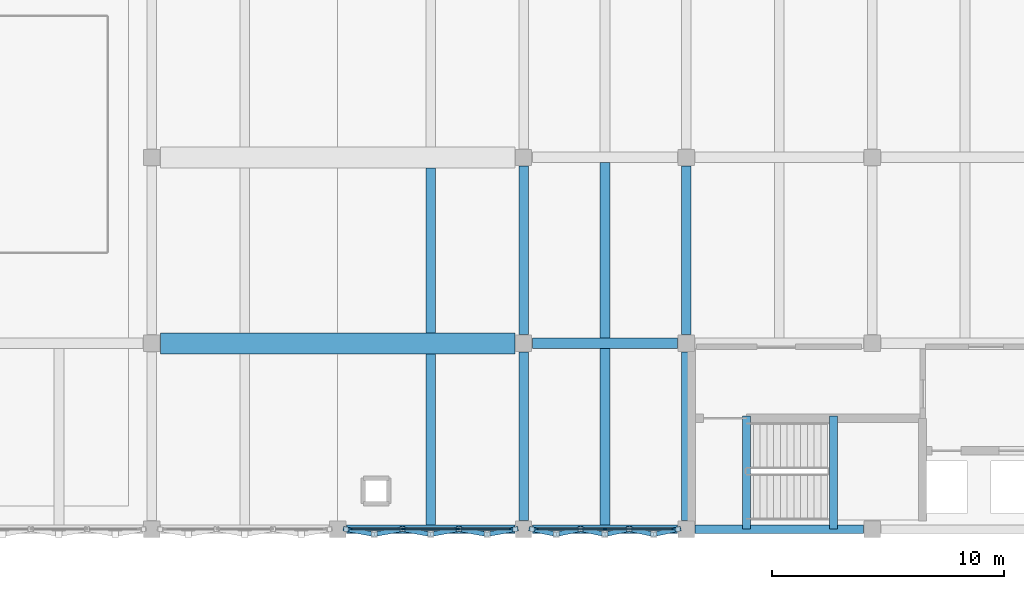
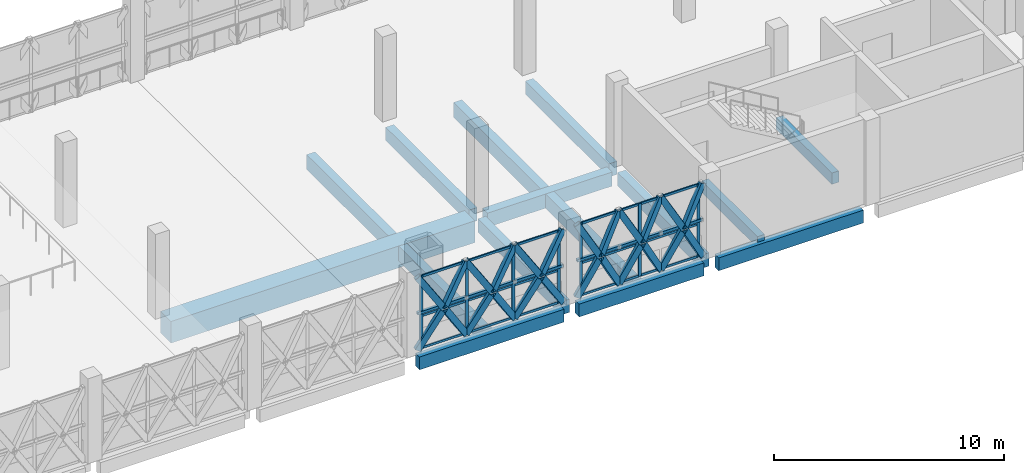
# One storey, part 13 of 45: 52 members, 15 beams, 2 elements without a shape of their own.
"""IFC4 building model written with IfcOpenShell, lengths in metres."""

from ifc_helpers import new_model, si_unit, direction, frame, origin, origin_2d, place, context, subcontext, project, spatial, rectangle, hollow_rectangle, extrude, material, layer, layer_set, material_profile, profile_set, type_object, element, aggregate, save


model = new_model("IFC4")

# Units and contexts
model_context = context("Model", 3, precision=1e-05, world=origin(), true_north=direction((0.0, 1.0)))
body_context = subcontext(model_context, "Body", "Model", "MODEL_VIEW")
ifc_project = project(units=[si_unit("LENGTHUNIT", "METRE"), si_unit("AREAUNIT", "SQUARE_METRE"), si_unit("VOLUMEUNIT", "CUBIC_METRE"), si_unit("PLANEANGLEUNIT", "RADIAN"), si_unit("MASSUNIT", "GRAM", prefix="KILO")], contexts=[model_context])

# Site, building, storey
site_placement = place(None, origin())
site = spatial("IfcSite", under=ifc_project, at=site_placement, CompositionType="ELEMENT")
building_placement = place(site_placement, origin())
building = spatial("IfcBuilding", under=site, at=building_placement, Name="Qorikala Patio Media Centre", CompositionType="ELEMENT")
storey_placement = place(building_placement, frame((0.0, 0.0, 9.89990234375)))
storey = spatial("IfcBuildingStorey", under=building, at=storey_placement, Name="L02", CompositionType="ELEMENT", Elevation=9.89990234375)

# Beams
ifc_material_1 = material(Name="Concrete C35/45", Category="concrete")
ifc_material_profile_1 = material_profile(ifc_material_1, rectangle(XDim=0.35009765625, YDim=0.60009765625, at=origin_2d()), Name="RC 350x600")
ifc_profile_set_1 = profile_set([ifc_material_profile_1], Name="Concrete C35/45")
beam_type_1 = type_object("IfcBeamType", Name="BM-G350X600", PredefinedType="BEAM", material=ifc_profile_set_1)
beam_1_placement = place(storey_placement, frame((84.60009765625, 3.0, -0.2998046875), z_axis=(0.0, 1.0, 0.0), x_axis=(-1.0, 0.0, 0.0)))
element("IfcBeam", 1, at=beam_1_placement, inside=storey, type_object=beam_type_1, Name="L02 ST-4 Well Trimmer Beam", PredefinedType="BEAM", context=body_context, shape_type="SweptSolid", body=[
    extrude(rectangle(XDim=0.35009765625, YDim=0.60009765625, at=origin_2d()), origin(), (0.0, 0.0, 1.0), 4.8798828125),
])
beam_2_placement = place(storey_placement, frame((88.330078125, 3.02001953125, 1.75), z_axis=(0.0, 1.0, 0.0), x_axis=(-1.0, 0.0, 0.0)))
element("IfcBeam", 2, at=beam_2_placement, inside=storey, type_object=beam_type_1, Name="L02 ST-4 Landing Beam 1", PredefinedType="BEAM", context=body_context, shape_type="SweptSolid", body=[
    extrude(rectangle(XDim=0.35009765625, YDim=0.60009765625, at=origin_2d()), origin(), (0.0, 0.0, 1.0), 4.85986328125),
])
ifc_material_profile_2 = material_profile(ifc_material_1, rectangle(XDim=0.39990234375, YDim=0.699951171875, at=origin_2d()), Name="RC 400x700")
ifc_profile_set_2 = profile_set([ifc_material_profile_2], Name="Concrete C35/45")
beam_type_2 = type_object("IfcBeamType", Name="BM-G400X700", PredefinedType="BEAM", material=ifc_profile_set_2)
for number, where, z_axis, x_axis, name in (
    (3, (75.0, 3.375, -0.64990234375), (0.0, 1.0, 0.0), (-1.0, 0.0, 0.0), "L02 Grid X=75 Beam 0971"),
    (4, (75.0, 11.375, -0.64990234375), (0.0, 1.0, 0.0), (-1.0, 0.0, 0.0), "L02 Grid X=75 Beam 0972"),
    (5, (82.0, 3.375, -0.64990234375), (0.0, 1.0, 0.0), (-1.0, 0.0, 0.0), "L02 Grid X=82 Beam 0978"),
    (6, (82.0, 11.375, -0.64990234375), (0.0, 1.0, 0.0), (-1.0, 0.0, 0.0), "L02 Grid X=82 Beam 0979"),
):
    element("IfcBeam", number, at=place(storey_placement, frame(where, z_axis=z_axis, x_axis=x_axis)), inside=storey, type_object=beam_type_2, Name=name, PredefinedType="BEAM", context=body_context, shape_type="SweptSolid", body=[
        extrude(rectangle(XDim=0.39990234375, YDim=0.699951171875, at=origin_2d()), origin(), (0.0, 0.0, 1.0), 7.25),
    ])
ifc_material_profile_3 = material_profile(ifc_material_1, rectangle(XDim=0.449951171875, YDim=0.75, at=origin_2d()), Name="RC 450x750")
ifc_profile_set_3 = profile_set([ifc_material_profile_3], Name="Concrete C35/45")
beam_type_3 = type_object("IfcBeamType", Name="BM-G450X750", PredefinedType="BEAM", material=ifc_profile_set_3)
beam_3_placement = place(storey_placement, frame((75.375, 11.0, -0.6748046875), z_axis=(1.0, 0.0, 0.0), x_axis=(0.0, 1.0, 0.0)))
element("IfcBeam", 7, at=beam_3_placement, inside=storey, type_object=beam_type_3, Name="L02 Grid 11 Beam 0784", PredefinedType="BEAM", context=body_context, shape_type="SweptSolid", body=[
    extrude(rectangle(XDim=0.449951171875, YDim=0.75, at=origin_2d()), origin(), (0.0, 0.0, 1.0), 6.25),
])
ifc_material_profile_4 = material_profile(ifc_material_1, rectangle(XDim=0.89990234375, YDim=1.14990234375, at=origin_2d()), Name="RC 900x1150")
ifc_profile_set_4 = profile_set([ifc_material_profile_4], Name="Concrete C35/45")
beam_type_4 = type_object("IfcBeamType", Name="BM-TR900X1150", PredefinedType="BEAM", material=ifc_profile_set_4)
beam_4_placement = place(storey_placement, frame((59.375, 11.0, -0.875), z_axis=(1.0, 0.0, 0.0), x_axis=(0.0, 1.0, 0.0)))
element("IfcBeam", 8, at=beam_4_placement, inside=storey, type_object=beam_type_4, Name="L02 Grid 11 Beam 0783", PredefinedType="BEAM", context=body_context, shape_type="SweptSolid", body=[
    extrude(rectangle(XDim=0.89990234375, YDim=1.14990234375, at=origin_2d()), origin(), (0.0, 0.0, 1.0), 15.25),
])

# Members
ifc_material_2 = material(Name="Golden Bronze Coated Steel S355", Category="steel")
ifc_material_profile_5 = material_profile(ifc_material_2, hollow_rectangle(XDim=0.139892578125, YDim=0.139892578125, WallThickness=0.006103515625, at=origin_2d()), Name="HSS140X140X6")
ifc_profile_set_5 = profile_set([ifc_material_profile_5], Name="Golden Bronze Coated Steel S355")
member_type_1 = type_object("IfcMemberType", Name="BRACE-DIA140", PredefinedType="BRACE", material=ifc_profile_set_5)
for number, where, z_axis, x_axis, name in (
    (9, (81.639892578125, 3.0, 1.925048828125), (-1.0, 0.0, 0.0), (0.0, -1.0, 0.0), "L02 Diamond Fold Tie 034"),
    (10, (79.546630859375, 3.0, 1.925048828125), (-1.0, 0.0, 0.0), (0.0, -1.0, 0.0), "L02 Diamond Fold Tie 035"),
    (11, (77.453369140625, 3.0, 1.925048828125), (-1.0, 0.0, 0.0), (0.0, -1.0, 0.0), "L02 Diamond Fold Tie 036"),
):
    element("IfcMember", number, at=place(storey_placement, frame(where, z_axis=z_axis, x_axis=x_axis)), inside=storey, type_object=member_type_1, Name=name, PredefinedType="BRACE", context=body_context, shape_type="SweptSolid", body=[
        extrude(hollow_rectangle(XDim=0.139892578125, YDim=0.139892578125, WallThickness=0.006103515625, at=origin_2d()), origin(), (0.0, 0.0, 1.0), 2.09326171875),
    ])
member_1_placement = place(storey_placement, frame((74.639892578125, 3.0, 1.925048828125), z_axis=(-1.0, 0.0, 0.0), x_axis=(0.0, -1.0, 0.0)))
element("IfcMember", 12, at=member_1_placement, inside=storey, type_object=member_type_1, Name="L02 Diamond Fold Tie 037", PredefinedType="BRACE", context=body_context, shape_type="SweptSolid", body=[
    extrude(hollow_rectangle(XDim=0.139892578125, YDim=0.139892578125, WallThickness=0.006103515625, at=origin_2d()), origin(), (0.0, 0.0, 1.0), 2.426513671875),
])
member_2_placement = place(storey_placement, frame((72.21337890625, 3.0, 1.925048828125), z_axis=(-1.0, 0.0, 0.0), x_axis=(0.0, -1.0, 0.0)))
element("IfcMember", 13, at=member_2_placement, inside=storey, type_object=member_type_1, Name="L02 Diamond Fold Tie 038", PredefinedType="BRACE", context=body_context, shape_type="SweptSolid", body=[
    extrude(hollow_rectangle(XDim=0.139892578125, YDim=0.139892578125, WallThickness=0.006103515625, at=origin_2d()), origin(), (0.0, 0.0, 1.0), 2.4267578125),
])
member_3_placement = place(storey_placement, frame((69.78662109375, 3.0, 1.925048828125), z_axis=(-1.0, 0.0, 0.0), x_axis=(0.0, -1.0, 0.0)))
element("IfcMember", 14, at=member_3_placement, inside=storey, type_object=member_type_1, Name="L02 Diamond Fold Tie 039", PredefinedType="BRACE", context=body_context, shape_type="SweptSolid", body=[
    extrude(hollow_rectangle(XDim=0.139892578125, YDim=0.139892578125, WallThickness=0.006103515625, at=origin_2d()), origin(), (0.0, 0.0, 1.0), 2.426513671875),
])

# Curtain wall, members
ifc_material_3 = material(Name="Golden Bronze Anodised Aluminium and Low-E Glass", Category="aluminium")
ifc_layer_1 = layer(ifc_material_3, 0.159912109375)
ifc_layer_set_1 = layer_set([ifc_layer_1], Name="Golden Bronze Anodised Aluminium and Low-E Glass")
curtain_wall_type_1 = type_object("IfcCurtainWallType", Name="CW-DIA-596X385", PredefinedType="USERDEFINED", material=ifc_layer_set_1)
curtain_wall_1_placement = place(storey_placement, origin())
curtain_wall_1 = element("IfcCurtainWall", 15, at=curtain_wall_1_placement, inside=storey, type_object=curtain_wall_type_1, Name="L02 Courtyard Curtain Wall 040", ObjectType="COURTYARD CURTAIN WALL", PredefinedType="USERDEFINED")
ifc_material_4 = material(Name="Golden Bronze Anodised Aluminium", Category="aluminium")
ifc_material_profile_6 = material_profile(ifc_material_4, rectangle(XDim=0.06494140625, YDim=0.14990234375, at=origin_2d()), Name="ALU MULLION 65x150")
ifc_profile_set_6 = profile_set([ifc_material_profile_6], Name="Golden Bronze Anodised Aluminium")
member_type_2 = type_object("IfcMemberType", Name="CWM-65X150", PredefinedType="MULLION", material=ifc_profile_set_6)
member_4_placement = place(storey_placement, frame((81.447509765625, 3.0, 0.0), z_axis=(0.0, 0.0, 1.0), x_axis=(0.0, -1.0, 0.0)))
member_4 = element("IfcMember", 16, at=member_4_placement, type_object=member_type_2, Name="CWD596385 mullion 1", PredefinedType="MULLION", context=body_context, shape_type="SweptSolid", body=[
    extrude(rectangle(XDim=0.06494140625, YDim=0.14990234375, at=origin_2d()), origin(), (0.0, 0.0, 1.0), 3.85009765625),
])
member_5_placement = place(storey_placement, frame((78.5, 3.0, 0.0), z_axis=(0.0, 0.0, 1.0), x_axis=(0.0, -1.0, 0.0)))
member_5 = element("IfcMember", 17, at=member_5_placement, type_object=member_type_2, Name="CWD596385 mullion 2", PredefinedType="MULLION", context=body_context, shape_type="SweptSolid", body=[
    extrude(rectangle(XDim=0.06494140625, YDim=0.14990234375, at=origin_2d()), origin(), (0.0, 0.0, 1.0), 3.85009765625),
])
member_6_placement = place(storey_placement, frame((75.552490234375, 3.0, 0.0), z_axis=(0.0, 0.0, 1.0), x_axis=(0.0, -1.0, 0.0)))
member_6 = element("IfcMember", 18, at=member_6_placement, type_object=member_type_2, Name="CWD596385 mullion 3", PredefinedType="MULLION", context=body_context, shape_type="SweptSolid", body=[
    extrude(rectangle(XDim=0.06494140625, YDim=0.14990234375, at=origin_2d()), origin(), (0.0, 0.0, 1.0), 3.85009765625),
])

ifc_layer_2 = layer(ifc_material_3, 0.159912109375)
ifc_layer_set_2 = layer_set([ifc_layer_2], Name="Golden Bronze Anodised Aluminium and Low-E Glass")
curtain_wall_type_2 = type_object("IfcCurtainWallType", Name="CW-DIA-696X385", PredefinedType="USERDEFINED", material=ifc_layer_set_2)
curtain_wall_2_placement = place(storey_placement, origin())
curtain_wall_2 = element("IfcCurtainWall", 19, at=curtain_wall_2_placement, inside=storey, type_object=curtain_wall_type_2, Name="L02 Courtyard Curtain Wall 041", ObjectType="COURTYARD CURTAIN WALL", PredefinedType="USERDEFINED")
member_7_placement = place(storey_placement, frame((74.447509765625, 3.0, 0.0), z_axis=(0.0, 0.0, 1.0), x_axis=(0.0, -1.0, 0.0)))
member_7 = element("IfcMember", 20, at=member_7_placement, type_object=member_type_2, Name="CWD696385 mullion 1", PredefinedType="MULLION", context=body_context, shape_type="SweptSolid", body=[
    extrude(rectangle(XDim=0.06494140625, YDim=0.14990234375, at=origin_2d()), origin(), (0.0, 0.0, 1.0), 3.85009765625),
])
member_8_placement = place(storey_placement, frame((72.159912109375, 3.0, 0.0), z_axis=(0.0, 0.0, 1.0), x_axis=(0.0, -1.0, 0.0)))
member_8 = element("IfcMember", 21, at=member_8_placement, type_object=member_type_2, Name="CWD696385 mullion 2", PredefinedType="MULLION", context=body_context, shape_type="SweptSolid", body=[
    extrude(rectangle(XDim=0.06494140625, YDim=0.14990234375, at=origin_2d()), origin(), (0.0, 0.0, 1.0), 3.85009765625),
])
member_9_placement = place(storey_placement, frame((69.840087890625, 3.0, 0.0), z_axis=(0.0, 0.0, 1.0), x_axis=(0.0, -1.0, 0.0)))
member_9 = element("IfcMember", 22, at=member_9_placement, type_object=member_type_2, Name="CWD696385 mullion 3", PredefinedType="MULLION", context=body_context, shape_type="SweptSolid", body=[
    extrude(rectangle(XDim=0.06494140625, YDim=0.14990234375, at=origin_2d()), origin(), (0.0, 0.0, 1.0), 3.85009765625),
])
member_10_placement = place(storey_placement, frame((67.552490234375, 3.0, 0.0), z_axis=(0.0, 0.0, 1.0), x_axis=(0.0, -1.0, 0.0)))
member_10 = element("IfcMember", 23, at=member_10_placement, type_object=member_type_2, Name="CWD696385 mullion 4", PredefinedType="MULLION", context=body_context, shape_type="SweptSolid", body=[
    extrude(rectangle(XDim=0.06494140625, YDim=0.14990234375, at=origin_2d()), origin(), (0.0, 0.0, 1.0), 3.85009765625),
])

# Member
ifc_material_profile_7 = material_profile(ifc_material_4, rectangle(XDim=0.06494140625, YDim=0.1201171875, at=origin_2d()), Name="ALU TRANSOM 65x120")
ifc_profile_set_7 = profile_set([ifc_material_profile_7], Name="Golden Bronze Anodised Aluminium")
member_type_3 = type_object("IfcMemberType", Name="CWT-65X120", PredefinedType="USERDEFINED", material=ifc_profile_set_7)
member_11_placement = place(storey_placement, frame((81.4150390625, 3.0, 0.03271484375), z_axis=(-1.0, 0.0, 0.0), x_axis=(0.0, -1.0, 0.0)))
member_11 = element("IfcMember", 24, at=member_11_placement, type_object=member_type_3, Name="CWD596385 transom 1.1", ObjectType="TRANSOM", PredefinedType="USERDEFINED", context=body_context, shape_type="SweptSolid", body=[
    extrude(rectangle(XDim=0.06494140625, YDim=0.1201171875, at=origin_2d()), origin(), (0.0, 0.0, 1.0), 2.882568359375),
])

member_12_placement = place(storey_placement, frame((81.4150390625, 3.0, 1.732666015625), z_axis=(-1.0, 0.0, 0.0), x_axis=(0.0, -1.0, 0.0)))
member_12 = element("IfcMember", 25, at=member_12_placement, type_object=member_type_3, Name="CWD596385 transom 1.2", ObjectType="TRANSOM", PredefinedType="USERDEFINED", context=body_context, shape_type="SweptSolid", body=[
    extrude(rectangle(XDim=0.06494140625, YDim=0.1201171875, at=origin_2d()), origin(), (0.0, 0.0, 1.0), 2.882568359375),
])

member_13_placement = place(storey_placement, frame((81.4150390625, 3.0, 3.817626953125), z_axis=(-1.0, 0.0, 0.0), x_axis=(0.0, -1.0, 0.0)))
member_13 = element("IfcMember", 26, at=member_13_placement, type_object=member_type_3, Name="CWD596385 transom 1.3", ObjectType="TRANSOM", PredefinedType="USERDEFINED", context=body_context, shape_type="SweptSolid", body=[
    extrude(rectangle(XDim=0.06494140625, YDim=0.1201171875, at=origin_2d()), origin(), (0.0, 0.0, 1.0), 2.882568359375),
])

member_14_placement = place(storey_placement, frame((78.467529296875, 3.0, 0.03271484375), z_axis=(-1.0, 0.0, 0.0), x_axis=(0.0, -1.0, 0.0)))
member_14 = element("IfcMember", 27, at=member_14_placement, type_object=member_type_3, Name="CWD596385 transom 2.1", ObjectType="TRANSOM", PredefinedType="USERDEFINED", context=body_context, shape_type="SweptSolid", body=[
    extrude(rectangle(XDim=0.06494140625, YDim=0.1201171875, at=origin_2d()), origin(), (0.0, 0.0, 1.0), 2.882568359375),
])

member_15_placement = place(storey_placement, frame((78.467529296875, 3.0, 1.732666015625), z_axis=(-1.0, 0.0, 0.0), x_axis=(0.0, -1.0, 0.0)))
member_15 = element("IfcMember", 28, at=member_15_placement, type_object=member_type_3, Name="CWD596385 transom 2.2", ObjectType="TRANSOM", PredefinedType="USERDEFINED", context=body_context, shape_type="SweptSolid", body=[
    extrude(rectangle(XDim=0.06494140625, YDim=0.1201171875, at=origin_2d()), origin(), (0.0, 0.0, 1.0), 2.882568359375),
])

member_16_placement = place(storey_placement, frame((78.467529296875, 3.0, 3.817626953125), z_axis=(-1.0, 0.0, 0.0), x_axis=(0.0, -1.0, 0.0)))
member_16 = element("IfcMember", 29, at=member_16_placement, type_object=member_type_3, Name="CWD596385 transom 2.3", ObjectType="TRANSOM", PredefinedType="USERDEFINED", context=body_context, shape_type="SweptSolid", body=[
    extrude(rectangle(XDim=0.06494140625, YDim=0.1201171875, at=origin_2d()), origin(), (0.0, 0.0, 1.0), 2.882568359375),
])

aggregate(curtain_wall_1, [member_4, member_5, member_6, member_11, member_12, member_13, member_14, member_15, member_16])

member_17_placement = place(storey_placement, frame((74.4150390625, 3.0, 0.03271484375), z_axis=(-1.0, 0.0, 0.0), x_axis=(0.0, -1.0, 0.0)))
member_17 = element("IfcMember", 30, at=member_17_placement, type_object=member_type_3, Name="CWD696385 transom 1.1", ObjectType="TRANSOM", PredefinedType="USERDEFINED", context=body_context, shape_type="SweptSolid", body=[
    extrude(rectangle(XDim=0.06494140625, YDim=0.1201171875, at=origin_2d()), origin(), (0.0, 0.0, 1.0), 2.22265625),
])

member_18_placement = place(storey_placement, frame((74.4150390625, 3.0, 1.732666015625), z_axis=(-1.0, 0.0, 0.0), x_axis=(0.0, -1.0, 0.0)))
member_18 = element("IfcMember", 31, at=member_18_placement, type_object=member_type_3, Name="CWD696385 transom 1.2", ObjectType="TRANSOM", PredefinedType="USERDEFINED", context=body_context, shape_type="SweptSolid", body=[
    extrude(rectangle(XDim=0.06494140625, YDim=0.1201171875, at=origin_2d()), origin(), (0.0, 0.0, 1.0), 2.22265625),
])

member_19_placement = place(storey_placement, frame((74.4150390625, 3.0, 3.817626953125), z_axis=(-1.0, 0.0, 0.0), x_axis=(0.0, -1.0, 0.0)))
member_19 = element("IfcMember", 32, at=member_19_placement, type_object=member_type_3, Name="CWD696385 transom 1.3", ObjectType="TRANSOM", PredefinedType="USERDEFINED", context=body_context, shape_type="SweptSolid", body=[
    extrude(rectangle(XDim=0.06494140625, YDim=0.1201171875, at=origin_2d()), origin(), (0.0, 0.0, 1.0), 2.22265625),
])

member_20_placement = place(storey_placement, frame((72.12744140625, 3.0, 0.03271484375), z_axis=(-1.0, 0.0, 0.0), x_axis=(0.0, -1.0, 0.0)))
member_20 = element("IfcMember", 33, at=member_20_placement, type_object=member_type_3, Name="CWD696385 transom 2.1", ObjectType="TRANSOM", PredefinedType="USERDEFINED", context=body_context, shape_type="SweptSolid", body=[
    extrude(rectangle(XDim=0.06494140625, YDim=0.1201171875, at=origin_2d()), origin(), (0.0, 0.0, 1.0), 2.2548828125),
])

member_21_placement = place(storey_placement, frame((72.12744140625, 3.0, 1.732666015625), z_axis=(-1.0, 0.0, 0.0), x_axis=(0.0, -1.0, 0.0)))
member_21 = element("IfcMember", 34, at=member_21_placement, type_object=member_type_3, Name="CWD696385 transom 2.2", ObjectType="TRANSOM", PredefinedType="USERDEFINED", context=body_context, shape_type="SweptSolid", body=[
    extrude(rectangle(XDim=0.06494140625, YDim=0.1201171875, at=origin_2d()), origin(), (0.0, 0.0, 1.0), 2.2548828125),
])

member_22_placement = place(storey_placement, frame((72.12744140625, 3.0, 3.817626953125), z_axis=(-1.0, 0.0, 0.0), x_axis=(0.0, -1.0, 0.0)))
member_22 = element("IfcMember", 35, at=member_22_placement, type_object=member_type_3, Name="CWD696385 transom 2.3", ObjectType="TRANSOM", PredefinedType="USERDEFINED", context=body_context, shape_type="SweptSolid", body=[
    extrude(rectangle(XDim=0.06494140625, YDim=0.1201171875, at=origin_2d()), origin(), (0.0, 0.0, 1.0), 2.2548828125),
])

member_23_placement = place(storey_placement, frame((69.8076171875, 3.0, 0.03271484375), z_axis=(-1.0, 0.0, 0.0), x_axis=(0.0, -1.0, 0.0)))
member_23 = element("IfcMember", 36, at=member_23_placement, type_object=member_type_3, Name="CWD696385 transom 3.1", ObjectType="TRANSOM", PredefinedType="USERDEFINED", context=body_context, shape_type="SweptSolid", body=[
    extrude(rectangle(XDim=0.06494140625, YDim=0.1201171875, at=origin_2d()), origin(), (0.0, 0.0, 1.0), 2.22265625),
])

member_24_placement = place(storey_placement, frame((69.8076171875, 3.0, 1.732666015625), z_axis=(-1.0, 0.0, 0.0), x_axis=(0.0, -1.0, 0.0)))
member_24 = element("IfcMember", 37, at=member_24_placement, type_object=member_type_3, Name="CWD696385 transom 3.2", ObjectType="TRANSOM", PredefinedType="USERDEFINED", context=body_context, shape_type="SweptSolid", body=[
    extrude(rectangle(XDim=0.06494140625, YDim=0.1201171875, at=origin_2d()), origin(), (0.0, 0.0, 1.0), 2.22265625),
])

member_25_placement = place(storey_placement, frame((69.8076171875, 3.0, 3.817626953125), z_axis=(-1.0, 0.0, 0.0), x_axis=(0.0, -1.0, 0.0)))
member_25 = element("IfcMember", 38, at=member_25_placement, type_object=member_type_3, Name="CWD696385 transom 3.3", ObjectType="TRANSOM", PredefinedType="USERDEFINED", context=body_context, shape_type="SweptSolid", body=[
    extrude(rectangle(XDim=0.06494140625, YDim=0.1201171875, at=origin_2d()), origin(), (0.0, 0.0, 1.0), 2.22265625),
])

aggregate(curtain_wall_2, [member_7, member_8, member_9, member_10, member_17, member_18, member_19, member_20, member_21, member_22, member_23, member_24, member_25])

# Beams
ifc_material_profile_8 = material_profile(ifc_material_1, rectangle(XDim=0.35009765625, YDim=0.679931640625, at=origin_2d()), Name="RC 350x680")
ifc_profile_set_8 = profile_set([ifc_material_profile_8], Name="Concrete C35/45")
beam_type_5 = type_object("IfcBeamType", Name="SP-350X680", PredefinedType="SPANDREL", material=ifc_profile_set_8)
beam_5_placement = place(storey_placement, frame((67.375, 3.0, -0.639892578125), z_axis=(1.0, 0.0, 0.0), x_axis=(0.0, 1.0, 0.0)))
element("IfcBeam", 39, at=beam_5_placement, inside=storey, type_object=beam_type_5, Name="L02 Grid 3 Beam 0763", PredefinedType="SPANDREL", context=body_context, shape_type="SweptSolid", body=[
    extrude(rectangle(XDim=0.35009765625, YDim=0.679931640625, at=origin_2d()), origin(), (0.0, 0.0, 1.0), 7.25),
])
beam_6_placement = place(storey_placement, frame((75.375, 3.0, -0.639892578125), z_axis=(1.0, 0.0, 0.0), x_axis=(0.0, 1.0, 0.0)))
element("IfcBeam", 40, at=beam_6_placement, inside=storey, type_object=beam_type_5, Name="L02 Grid 3 Beam 0764", PredefinedType="SPANDREL", context=body_context, shape_type="SweptSolid", body=[
    extrude(rectangle(XDim=0.35009765625, YDim=0.679931640625, at=origin_2d()), origin(), (0.0, 0.0, 1.0), 6.25),
])
beam_7_placement = place(storey_placement, frame((82.375, 3.0, -0.639892578125), z_axis=(1.0, 0.0, 0.0), x_axis=(0.0, 1.0, 0.0)))
element("IfcBeam", 41, at=beam_7_placement, inside=storey, type_object=beam_type_5, Name="L02 Grid 3 Beam 0765", PredefinedType="SPANDREL", context=body_context, shape_type="SweptSolid", body=[
    extrude(rectangle(XDim=0.35009765625, YDim=0.679931640625, at=origin_2d()), origin(), (0.0, 0.0, 1.0), 7.25),
])

# Members
ifc_material_profile_9 = material_profile(ifc_material_2, hollow_rectangle(XDim=0.199951171875, YDim=0.300048828125, WallThickness=0.011962890625, at=origin_2d()), Name="HSS300X200X12")
ifc_profile_set_9 = profile_set([ifc_material_profile_9], Name="Golden Bronze Coated Steel S355")
member_type_4 = type_object("IfcMemberType", Name="STRUT-DIA300", PredefinedType="STRUT", material=ifc_profile_set_9)
for number, where, z_axis, x_axis, name in (
    (42, (81.639892578125, 3.0, 0.0), (-0.475284177813, -0.099558010654, 0.87418141872), (0.205020837962, -0.9787576084, 0.0), "L02 Diamond Foyer Fold Strut 034-DL1"),
    (43, (79.546630859375, 3.0, 0.0), (0.475284177813, -0.099558010654, 0.87418141872), (0.205020837962, 0.9787576084, 0.0), "L02 Diamond Foyer Fold Strut 034-DL2"),
    (44, (80.59326171875, 2.78076171875, 1.925048828125), (0.475284177813, 0.099558010654, 0.87418141872), (-0.205020837962, 0.9787576084, 0.0), "L02 Diamond Foyer Fold Strut 034-DU1"),
    (45, (80.59326171875, 2.78076171875, 1.925048828125), (-0.475284177813, 0.099558010654, 0.87418141872), (-0.205020837962, -0.9787576084, 0.0), "L02 Diamond Foyer Fold Strut 034-DU2"),
    (46, (79.546630859375, 3.0, 0.0), (-0.475284177813, -0.099558010654, 0.87418141872), (0.205020837962, -0.9787576084, 0.0), "L02 Diamond Foyer Fold Strut 035-DL1"),
    (47, (77.453369140625, 3.0, 0.0), (0.475284177813, -0.099558010654, 0.87418141872), (0.205020837962, 0.9787576084, 0.0), "L02 Diamond Foyer Fold Strut 035-DL2"),
    (48, (78.5, 2.78076171875, 1.925048828125), (0.475284177813, 0.099558010654, 0.87418141872), (-0.205020837962, 0.9787576084, 0.0), "L02 Diamond Foyer Fold Strut 035-DU1"),
    (49, (78.5, 2.78076171875, 1.925048828125), (-0.475284177813, 0.099558010654, 0.87418141872), (-0.205020837962, -0.9787576084, 0.0), "L02 Diamond Foyer Fold Strut 035-DU2"),
    (50, (77.453369140625, 3.0, 0.0), (-0.475284177813, -0.099558010654, 0.87418141872), (0.205020837962, -0.9787576084, 0.0), "L02 Diamond Foyer Fold Strut 036-DL1"),
    (51, (75.360107421875, 3.0, 0.0), (0.475284177813, -0.099558010654, 0.87418141872), (0.205020837962, 0.9787576084, 0.0), "L02 Diamond Foyer Fold Strut 036-DL2"),
    (52, (76.40673828125, 2.78076171875, 1.925048828125), (0.475284177813, 0.099558010654, 0.87418141872), (-0.205020837962, 0.9787576084, 0.0), "L02 Diamond Foyer Fold Strut 036-DU1"),
    (53, (76.40673828125, 2.78076171875, 1.925048828125), (-0.475284177813, 0.099558010654, 0.87418141872), (-0.205020837962, -0.9787576084, 0.0), "L02 Diamond Foyer Fold Strut 036-DU2"),
):
    element("IfcMember", number, at=place(storey_placement, frame(where, z_axis=z_axis, x_axis=x_axis)), inside=storey, type_object=member_type_4, Name=name, PredefinedType="STRUT", context=body_context, shape_type="SweptSolid", body=[
        extrude(hollow_rectangle(XDim=0.199951171875, YDim=0.300048828125, WallThickness=0.011962890625, at=origin_2d()), origin(), (0.0, 0.0, 1.0), 2.2021484375),
    ])
member_26_placement = place(storey_placement, frame((74.639892578125, 3.0, 0.0), z_axis=(-0.530691378365, -0.095906793675, 0.842121456713), x_axis=(0.17783968734, -0.984059472596, 0.0)))
element("IfcMember", 54, at=member_26_placement, inside=storey, type_object=member_type_4, Name="L02 Diamond Foyer Fold Strut 037-DL1", PredefinedType="STRUT", context=body_context, shape_type="SweptSolid", body=[
    extrude(hollow_rectangle(XDim=0.199951171875, YDim=0.300048828125, WallThickness=0.011962890625, at=origin_2d()), origin(), (0.0, 0.0, 1.0), 2.285888671875),
])
member_27_placement = place(storey_placement, frame((72.21337890625, 3.0, 0.0), z_axis=(0.530768093717, -0.095901357778, 0.842073726148), x_axis=(0.177805036072, 0.98406573416, 0.0)))
element("IfcMember", 55, at=member_27_placement, inside=storey, type_object=member_type_4, Name="L02 Diamond Foyer Fold Strut 037-DL2", PredefinedType="STRUT", context=body_context, shape_type="SweptSolid", body=[
    extrude(hollow_rectangle(XDim=0.199951171875, YDim=0.300048828125, WallThickness=0.011962890625, at=origin_2d()), origin(), (0.0, 0.0, 1.0), 2.2861328125),
])
member_28_placement = place(storey_placement, frame((73.4267578125, 2.78076171875, 1.925048828125), z_axis=(0.530691378365, 0.095906793675, 0.842121456713), x_axis=(-0.17783968734, 0.984059472596, 0.0)))
element("IfcMember", 56, at=member_28_placement, inside=storey, type_object=member_type_4, Name="L02 Diamond Foyer Fold Strut 037-DU1", PredefinedType="STRUT", context=body_context, shape_type="SweptSolid", body=[
    extrude(hollow_rectangle(XDim=0.199951171875, YDim=0.300048828125, WallThickness=0.011962890625, at=origin_2d()), origin(), (0.0, 0.0, 1.0), 2.285888671875),
])
for number, where, z_axis, x_axis, name in (
    (57, (73.4267578125, 2.78076171875, 1.925048828125), (-0.530768093717, 0.095901357778, 0.842073726148), (-0.177805036072, -0.98406573416, 0.0), "L02 Diamond Foyer Fold Strut 037-DU2"),
    (58, (72.21337890625, 3.0, 0.0), (-0.530768093717, -0.095901357778, 0.842073726148), (0.177805036072, -0.98406573416, 0.0), "L02 Diamond Foyer Fold Strut 038-DL1"),
    (59, (69.78662109375, 3.0, 0.0), (0.530768093717, -0.095901357778, 0.842073726148), (0.177805036072, 0.98406573416, 0.0), "L02 Diamond Foyer Fold Strut 038-DL2"),
    (60, (71.0, 2.78076171875, 1.925048828125), (0.530768093717, 0.095901357778, 0.842073726148), (-0.177805036072, 0.98406573416, 0.0), "L02 Diamond Foyer Fold Strut 038-DU1"),
    (61, (71.0, 2.78076171875, 1.925048828125), (-0.530768093717, 0.095901357778, 0.842073726148), (-0.177805036072, -0.98406573416, 0.0), "L02 Diamond Foyer Fold Strut 038-DU2"),
    (62, (69.78662109375, 3.0, 0.0), (-0.530768093717, -0.095901357778, 0.842073726148), (0.177805036072, -0.98406573416, 0.0), "L02 Diamond Foyer Fold Strut 039-DL1"),
):
    element("IfcMember", number, at=place(storey_placement, frame(where, z_axis=z_axis, x_axis=x_axis)), inside=storey, type_object=member_type_4, Name=name, PredefinedType="STRUT", context=body_context, shape_type="SweptSolid", body=[
        extrude(hollow_rectangle(XDim=0.199951171875, YDim=0.300048828125, WallThickness=0.011962890625, at=origin_2d()), origin(), (0.0, 0.0, 1.0), 2.2861328125),
    ])
member_29_placement = place(storey_placement, frame((67.360107421875, 3.0, 0.0), z_axis=(0.530691378365, -0.095906793675, 0.842121456713), x_axis=(0.17783968734, 0.984059472596, 0.0)))
element("IfcMember", 63, at=member_29_placement, inside=storey, type_object=member_type_4, Name="L02 Diamond Foyer Fold Strut 039-DL2", PredefinedType="STRUT", context=body_context, shape_type="SweptSolid", body=[
    extrude(hollow_rectangle(XDim=0.199951171875, YDim=0.300048828125, WallThickness=0.011962890625, at=origin_2d()), origin(), (0.0, 0.0, 1.0), 2.285888671875),
])
member_30_placement = place(storey_placement, frame((68.5732421875, 2.78076171875, 1.925048828125), z_axis=(0.530768093717, 0.095901357778, 0.842073726148), x_axis=(-0.177805036072, 0.98406573416, 0.0)))
element("IfcMember", 64, at=member_30_placement, inside=storey, type_object=member_type_4, Name="L02 Diamond Foyer Fold Strut 039-DU1", PredefinedType="STRUT", context=body_context, shape_type="SweptSolid", body=[
    extrude(hollow_rectangle(XDim=0.199951171875, YDim=0.300048828125, WallThickness=0.011962890625, at=origin_2d()), origin(), (0.0, 0.0, 1.0), 2.2861328125),
])
member_31_placement = place(storey_placement, frame((68.5732421875, 2.78076171875, 1.925048828125), z_axis=(-0.530691378365, 0.095906793675, 0.842121456713), x_axis=(-0.17783968734, -0.984059472596, 0.0)))
element("IfcMember", 65, at=member_31_placement, inside=storey, type_object=member_type_4, Name="L02 Diamond Foyer Fold Strut 039-DU2", PredefinedType="STRUT", context=body_context, shape_type="SweptSolid", body=[
    extrude(hollow_rectangle(XDim=0.199951171875, YDim=0.300048828125, WallThickness=0.011962890625, at=origin_2d()), origin(), (0.0, 0.0, 1.0), 2.285888671875),
])

# Beams
ifc_material_profile_10 = material_profile(ifc_material_1, rectangle(XDim=0.419921875, YDim=0.780029296875, at=origin_2d()), Name="RC 420x780")
ifc_profile_set_10 = profile_set([ifc_material_profile_10], Name="Concrete C35/45")
beam_type_6 = type_object("IfcBeamType", Name="TB-420X780", PredefinedType="T_BEAM", material=ifc_profile_set_10)
beam_8_placement = place(storey_placement, frame((71.0, 3.175048828125, -0.68994140625), z_axis=(0.0, 1.0, 0.0), x_axis=(-1.0, 0.0, 0.0)))
element("IfcBeam", 66, at=beam_8_placement, inside=storey, type_object=beam_type_6, Name="L02 Secondary Joist 1067", PredefinedType="T_BEAM", context=body_context, shape_type="SweptSolid", body=[
    extrude(rectangle(XDim=0.419921875, YDim=0.780029296875, at=origin_2d()), origin(), (0.0, 0.0, 1.0), 7.375),
])
beam_9_placement = place(storey_placement, frame((71.0, 11.449951171875, -0.68994140625), z_axis=(0.0, 1.0, 0.0), x_axis=(-1.0, 0.0, 0.0)))
element("IfcBeam", 67, at=beam_9_placement, inside=storey, type_object=beam_type_6, Name="L02 Secondary Joist 1068", PredefinedType="T_BEAM", context=body_context, shape_type="SweptSolid", body=[
    extrude(rectangle(XDim=0.419921875, YDim=0.780029296875, at=origin_2d()), origin(), (0.0, 0.0, 1.0), 7.10009765625),
])
beam_10_placement = place(storey_placement, frame((78.5, 3.175048828125, -0.68994140625), z_axis=(0.0, 1.0, 0.0), x_axis=(-1.0, 0.0, 0.0)))
element("IfcBeam", 68, at=beam_10_placement, inside=storey, type_object=beam_type_6, Name="L02 Secondary Joist 1074", PredefinedType="T_BEAM", context=body_context, shape_type="SweptSolid", body=[
    extrude(rectangle(XDim=0.419921875, YDim=0.780029296875, at=origin_2d()), origin(), (0.0, 0.0, 1.0), 7.599853515625),
])
beam_11_placement = place(storey_placement, frame((78.5, 11.22509765625, -0.68994140625), z_axis=(0.0, 1.0, 0.0), x_axis=(-1.0, 0.0, 0.0)))
element("IfcBeam", 69, at=beam_11_placement, inside=storey, type_object=beam_type_6, Name="L02 Secondary Joist 1075", PredefinedType="T_BEAM", context=body_context, shape_type="SweptSolid", body=[
    extrude(rectangle(XDim=0.419921875, YDim=0.780029296875, at=origin_2d()), origin(), (0.0, 0.0, 1.0), 7.5498046875),
])

save(model, "model.ifc")
